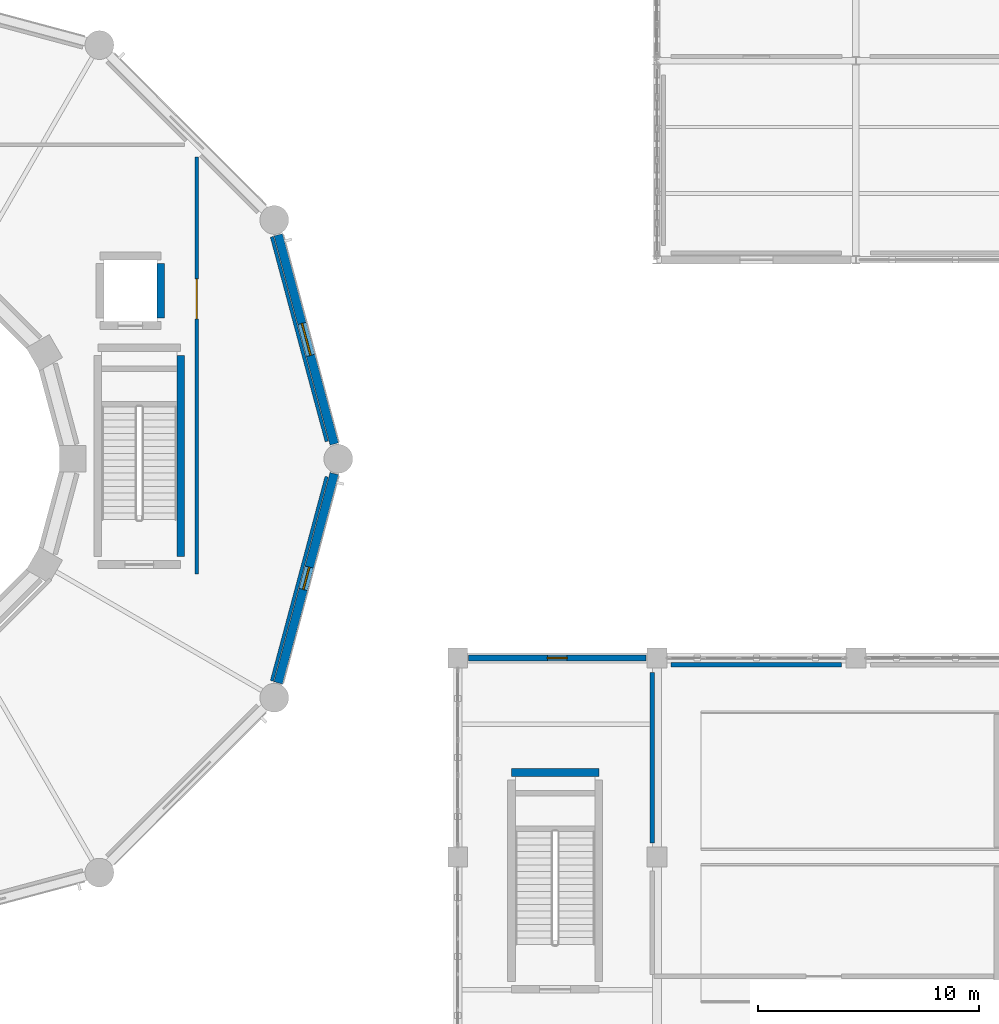
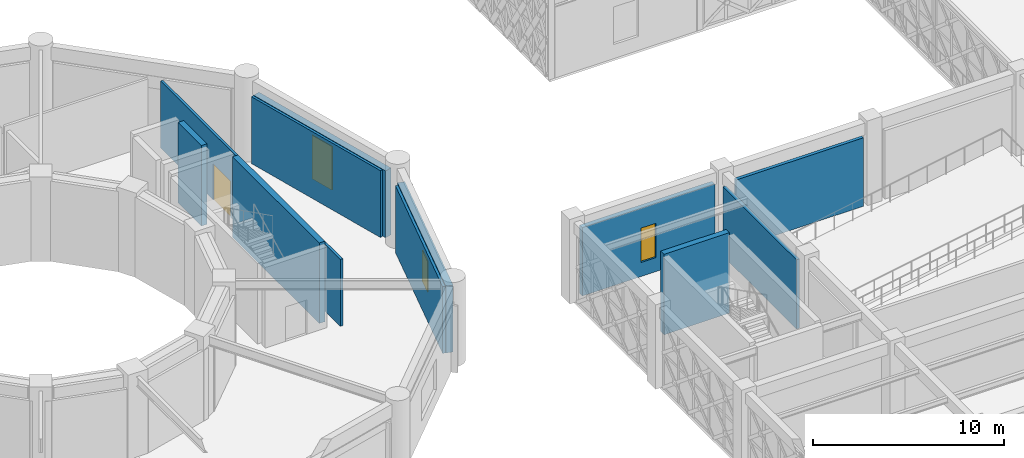
# One storey, part 142 of 166: 11 walls, 3 windows, 1 door, 4 openings.
"""IFC4 building model written with IfcOpenShell, lengths in metres."""

from ifc_helpers import new_model, si_unit, direction, frame, frame_2d, origin, place, context, subcontext, project, spatial, rectangle, extrude, material, layer, layer_set, type_object, element, fill, save


model = new_model("IFC4")

# Units and contexts
model_context = context("Model", 3, precision=1e-05, world=origin(), true_north=direction((0.0, 1.0)))
body_context = subcontext(model_context, "Body", "Model", "MODEL_VIEW")
ifc_project = project(units=[si_unit("LENGTHUNIT", "METRE"), si_unit("AREAUNIT", "SQUARE_METRE"), si_unit("VOLUMEUNIT", "CUBIC_METRE"), si_unit("PLANEANGLEUNIT", "RADIAN"), si_unit("MASSUNIT", "GRAM", prefix="KILO")], contexts=[model_context])

# Site, building, storey
site_placement = place(None, origin())
site = spatial("IfcSite", under=ifc_project, at=site_placement, CompositionType="ELEMENT")
building_placement = place(site_placement, origin())
building = spatial("IfcBuilding", under=site, at=building_placement, Name="Haizhuo Lancet Aquarium", CompositionType="ELEMENT")
storey_placement = place(building_placement, frame((0.0, 0.0, 5.39990234375)))
storey = spatial("IfcBuildingStorey", under=building, at=storey_placement, Name="L01", CompositionType="ELEMENT", Elevation=5.39990234375)

# Wall, opening, window
ifc_material_1 = material(Name="Shandong Grey Limestone Ashlar", Category="masonry")
ifc_layer_1 = layer(ifc_material_1, 0.280029296875)
ifc_layer_set_1 = layer_set([ifc_layer_1], Name="Shandong Grey Limestone Ashlar")
wall_type_1 = type_object("IfcWallType", Name="EWL-ASH-280", PredefinedType="SOLIDWALL", material=ifc_layer_set_1)
wall_1_placement = place(storey_placement, frame((27.4951171875, -9.0, 0.0), z_axis=(0.0, 0.0, 1.0), x_axis=(1.0, 0.0, 0.0)))
wall_1 = element("IfcWall", 1, at=wall_1_placement, inside=storey, type_object=wall_type_1, Name="L01 V3 limestone facade wall 70", PredefinedType="SOLIDWALL", context=body_context, shape_type="SweptSolid", body=[
    extrude(rectangle(XDim=8.009765625, YDim=0.280029296875, at=frame_2d((4.0048828125, 0.0))), origin(), (0.0, 0.0, 1.0), 4.375),
])
opening_1_placement = place(wall_1_placement, frame((3.554931640625, 0.0, 0.89990234375)))
opening_1 = element("IfcOpeningElement", 2, at=opening_1_placement, cuts=wall_1, Name="Opening WN-11", PredefinedType="OPENING", context=body_context, shape_type="SweptSolid", body=[
    extrude(rectangle(XDim=0.89990234375, YDim=2.199951171875, at=frame_2d((0.449951171875, 1.10009765625))), frame((0.0, 0.14990234375, 0.0), z_axis=(0.0, -1.0, 0.0), x_axis=(1.0, 0.0, 0.0)), (0.0, 0.0, 1.0), 0.300029),
])
ifc_material_2 = material(Name="Laminated Low-E Glass", Category="glass")
window_type_1 = type_object("IfcWindowType", Name="WIN-LAN-900x2200", PartitioningType="SINGLE_PANEL", PredefinedType="WINDOW", material=ifc_material_2)
window_1_placement = place(opening_1_placement, origin())
window_1 = element("IfcWindow", 3, at=window_1_placement, inside=storey, type_object=window_type_1, Name="L01 V3 lancet window 55", OverallHeight=2.199951171875, OverallWidth=0.89990234375, PartitioningType="SINGLE_PANEL", PredefinedType="WINDOW", context=body_context, shape_type="SweptSolid", body=[
    extrude(rectangle(XDim=0.89990234375, YDim=2.199951171875, at=frame_2d((0.449951171875, 1.10009765625))), frame((0.0, 0.030029296875, 0.0), z_axis=(0.0, -1.0, 0.0), x_axis=(1.0, 0.0, 0.0)), (0.0, 0.0, 1.0), 0.06005859375),
])
fill(opening_1, window_1)

ifc_layer_2 = layer(ifc_material_1, 0.39990234375)
ifc_layer_set_2 = layer_set([ifc_layer_2], Name="Shandong Grey Limestone Ashlar")
wall_type_2 = type_object("IfcWallType", Name="EWL-ASH-400", PredefinedType="SOLIDWALL", material=ifc_layer_set_2)
wall_2_placement = place(storey_placement, frame((18.885986328125, 10.12890625, 0.0), z_axis=(0.0, 0.0, 1.0), x_axis=(0.258787599316, -0.965934251614, 0.0)))
wall_2 = element("IfcWall", 4, at=wall_2_placement, inside=storey, type_object=wall_type_2, Name="L01 V1 limestone drum wall bay 1", PredefinedType="SOLIDWALL", context=body_context, shape_type="SweptSolid", body=[
    extrude(rectangle(XDim=9.79150390625, YDim=0.39990234375, at=frame_2d((4.895751953125, 0.0))), origin(), (0.0, 0.0, 1.0), 4.275146484375),
])
opening_2_placement = place(wall_2_placement, frame((4.14599609375, 0.0, 0.89990234375)))
opening_2 = element("IfcOpeningElement", 5, at=opening_2_placement, cuts=wall_2, Name="Opening WN-03", PredefinedType="OPENING", context=body_context, shape_type="SweptSolid", body=[
    extrude(rectangle(XDim=1.5, YDim=2.800048828125, at=frame_2d((0.75, 1.39990234375))), frame((0.0, 0.2099609375, 0.0), z_axis=(0.0, -1.0, 0.0), x_axis=(1.0, 0.0, 0.0)), (0.0, 0.0, 1.0), 0.419902),
])
window_type_2 = type_object("IfcWindowType", Name="WIN-LAN-1500x2800", PartitioningType="SINGLE_PANEL", PredefinedType="WINDOW", material=ifc_material_2)
window_2_placement = place(opening_2_placement, origin())
window_2 = element("IfcWindow", 6, at=window_2_placement, inside=storey, type_object=window_type_2, Name="L01 Gothic lancet window 9", OverallHeight=2.800048828125, OverallWidth=1.5, PartitioningType="SINGLE_PANEL", PredefinedType="WINDOW", context=body_context, shape_type="SweptSolid", body=[
    extrude(rectangle(XDim=1.5, YDim=2.800048828125, at=frame_2d((0.75, 1.39990234375))), frame((0.0, 0.030029296875, 0.0), z_axis=(0.0, -1.0, 0.0), x_axis=(1.0, 0.0, 0.0)), (0.0, 0.0, 1.0), 0.06005859375),
])
fill(opening_2, window_2)

wall_3_placement = place(storey_placement, frame((21.419921875, -0.6708984375, 0.0), z_axis=(0.0, 0.0, 1.0), x_axis=(-0.258787599316, -0.965934251614, 0.0)))
wall_3 = element("IfcWall", 7, at=wall_3_placement, inside=storey, type_object=wall_type_2, Name="L01 V1 limestone drum wall bay 12", PredefinedType="SOLIDWALL", context=body_context, shape_type="SweptSolid", body=[
    extrude(rectangle(XDim=9.79150390625, YDim=0.39990234375, at=frame_2d((4.895751953125, 0.0))), origin(), (0.0, 0.0, 1.0), 4.275146484375),
])
opening_3_placement = place(wall_3_placement, frame((4.37109375, 0.0, 0.89990234375)))
opening_3 = element("IfcOpeningElement", 8, at=opening_3_placement, cuts=wall_3, Name="Opening WN-12", PredefinedType="OPENING", context=body_context, shape_type="SweptSolid", body=[
    extrude(rectangle(XDim=1.050048828125, YDim=2.0, at=frame_2d((0.52490234375, 1.0))), frame((0.0, 0.2099609375, 0.0), z_axis=(0.0, -1.0, 0.0), x_axis=(1.0, 0.0, 0.0)), (0.0, 0.0, 1.0), 0.419902),
])
window_type_3 = type_object("IfcWindowType", Name="WIN-LAN-1050x2000", PartitioningType="SINGLE_PANEL", PredefinedType="WINDOW", material=ifc_material_2)
window_3_placement = place(opening_3_placement, origin())
window_3 = element("IfcWindow", 9, at=window_3_placement, inside=storey, type_object=window_type_3, Name="L01 Gothic lancet window 20", OverallHeight=2.0, OverallWidth=1.050048828125, PartitioningType="SINGLE_PANEL", PredefinedType="WINDOW", context=body_context, shape_type="SweptSolid", body=[
    extrude(rectangle(XDim=1.050048828125, YDim=2.0, at=frame_2d((0.52490234375, 1.0))), frame((0.0, 0.030029296875, 0.0), z_axis=(0.0, -1.0, 0.0), x_axis=(1.0, 0.0, 0.0)), (0.0, 0.0, 1.0), 0.06005859375),
])
fill(opening_3, window_3)

# Walls
ifc_material_3 = material(Name="Concrete C40/50", Category="concrete")
ifc_layer_3 = layer(ifc_material_3, 0.199951171875)
ifc_layer_set_3 = layer_set([ifc_layer_3], Name="Concrete C40/50")
wall_type_3 = type_object("IfcWallType", Name="IWL-ACU-200", PredefinedType="PARTITIONING", material=ifc_layer_set_3)
wall_4_placement = place(storey_placement, frame((44.35009765625, -9.300048828125, 0.0), z_axis=(0.0, 0.0, 1.0), x_axis=(-1.0, 0.0, 0.0)))
element("IfcWall", 10, at=wall_4_placement, inside=storey, type_object=wall_type_3, Name="L01 partition wall 253", PredefinedType="PARTITIONING", context=body_context, shape_type="SweptSolid", body=[
    extrude(rectangle(XDim=7.7001953125, YDim=0.199951171875, at=frame_2d((3.85009765625, 0.0))), origin(), (0.0, 0.0, 1.0), 4.375),
])
wall_5_placement = place(storey_placement, frame((35.800048828125, -9.64990234375, 0.0), z_axis=(0.0, 0.0, 1.0), x_axis=(0.0, -1.0, 0.0)))
element("IfcWall", 11, at=wall_5_placement, inside=storey, type_object=wall_type_3, Name="L01 partition wall 254", PredefinedType="PARTITIONING", context=body_context, shape_type="SweptSolid", body=[
    extrude(rectangle(XDim=7.710205078125, YDim=0.199951171875, at=frame_2d((3.85498046875, 0.0))), origin(), (0.0, 0.0, 1.0), 4.425048828125),
])
ifc_material_4 = material(Name="Gypsum Fireboard Partition")
ifc_layer_4 = layer(ifc_material_4, 0.14990234375)
ifc_layer_set_4 = layer_set([ifc_layer_4], Name="Gypsum Fireboard Partition")
wall_type_4 = type_object("IfcWallType", Name="IWL-STD-150", PredefinedType="PARTITIONING", material=ifc_layer_set_4)
wall_6_placement = place(storey_placement, frame((18.59912109375, -10.0400390625, 0.0), z_axis=(0.0, 0.0, 1.0), x_axis=(0.258779912716, 0.965936310931, 0.0)))
element("IfcWall", 12, at=wall_6_placement, inside=storey, type_object=wall_type_4, Name="L01 partition wall 217", PredefinedType="PARTITIONING", context=body_context, shape_type="SweptSolid", body=[
    extrude(rectangle(XDim=9.559814453125, YDim=0.14990234375, at=frame_2d((4.77978515625, 0.0))), origin(), (0.0, 0.0, 1.0), 4.275146484375),
])
wall_7_placement = place(storey_placement, frame((21.076904296875, 0.787109375, 0.0), z_axis=(0.0, 0.0, 1.0), x_axis=(-0.258883855342, 0.965908458107, 0.0)))
element("IfcWall", 13, at=wall_7_placement, inside=storey, type_object=wall_type_4, Name="L01 partition wall 218", PredefinedType="PARTITIONING", context=body_context, shape_type="SweptSolid", body=[
    extrude(rectangle(XDim=9.57958984375, YDim=0.14990234375, at=frame_2d((4.789794921875, 0.0))), origin(), (0.0, 0.0, 1.0), 4.275146484375),
])

# Wall, opening, door
wall_8_placement = place(storey_placement, frame((15.199951171875, 13.639892578125, 0.0), z_axis=(0.0, 0.0, 1.0), x_axis=(0.0, -1.0, 0.0)))
wall_8 = element("IfcWall", 14, at=wall_8_placement, inside=storey, type_object=wall_type_4, Name="L01 partition wall 220", PredefinedType="PARTITIONING", context=body_context, shape_type="SweptSolid", body=[
    extrude(rectangle(XDim=18.83984375, YDim=0.14990234375, at=frame_2d((9.419921875, 0.0))), origin(), (0.0, 0.0, 1.0), 4.275146484375),
])
opening_4_placement = place(wall_8_placement, frame((5.506103515625, 0.0, 0.0)))
opening_4 = element("IfcOpeningElement", 15, at=opening_4_placement, cuts=wall_8, Name="Opening D-02", PredefinedType="OPENING", context=body_context, shape_type="SweptSolid", body=[
    extrude(rectangle(XDim=1.800048828125, YDim=2.300048828125, at=frame_2d((0.89990234375, 1.14990234375))), frame((0.0, 0.0849609375, 0.0), z_axis=(0.0, -1.0, 0.0), x_axis=(1.0, 0.0, 0.0)), (0.0, 0.0, 1.0), 0.169902),
])
ifc_material_5 = material(Name="Aluminium 6063-T6", Category="aluminium")
door_type = type_object("IfcDoorType", Name="IDR-GAL-1800x2300", OperationType="NOTDEFINED", PredefinedType="DOOR", material=ifc_material_5)
door_placement = place(opening_4_placement, origin())
door = element("IfcDoor", 16, at=door_placement, inside=storey, type_object=door_type, Name="L01 Ocean Tank Reef Viewing Deck door", OperationType="DOUBLE_DOOR_SINGLE_SWING", OverallHeight=2.300048828125, OverallWidth=1.800048828125, PredefinedType="DOOR", context=body_context, shape_type="SweptSolid", body=[
    extrude(rectangle(XDim=1.800048828125, YDim=2.300048828125, at=frame_2d((0.89990234375, 1.14990234375))), frame((0.0, 0.02490234375, 0.0), z_axis=(0.0, -1.0, 0.0), x_axis=(1.0, 0.0, 0.0)), (0.0, 0.0, 1.0), 0.050048828125),
])
fill(opening_4, door)

# Walls
ifc_layer_5 = layer(ifc_material_3, 0.35009765625)
ifc_layer_set_5 = layer_set([ifc_layer_5], Name="Concrete C40/50")
wall_type_5 = type_object("IfcWallType", Name="WL-CORE-350", PredefinedType="SHEAR", material=ifc_layer_set_5)
wall_9_placement = place(storey_placement, frame((14.47509765625, -4.425048828125, 0.0), z_axis=(0.0, 0.0, 1.0), x_axis=(0.0, 1.0, 0.0)))
element("IfcWall", 17, at=wall_9_placement, inside=storey, type_object=wall_type_5, Name="L01 ST-02 core shear wall E", PredefinedType="SHEAR", context=body_context, shape_type="SweptSolid", body=[
    extrude(rectangle(XDim=9.10009765625, YDim=0.35009765625, at=frame_2d((4.550048828125, 0.0))), origin(), (0.0, 0.0, 1.0), 5.150146484375),
])
wall_10_placement = place(storey_placement, frame((29.425048828125, -14.175048828125, 0.0), z_axis=(0.0, 0.0, 1.0), x_axis=(1.0, 0.0, 0.0)))
element("IfcWall", 18, at=wall_10_placement, inside=storey, type_object=wall_type_5, Name="L01 ST-04 core shear wall N", PredefinedType="SHEAR", context=body_context, shape_type="SweptSolid", body=[
    extrude(rectangle(XDim=3.949951171875, YDim=0.35009765625, at=frame_2d((1.97509765625, 0.0))), origin(), (0.0, 0.0, 1.0), 5.150146484375),
])
wall_11_placement = place(storey_placement, frame((13.574951171875, 6.375, 0.0), z_axis=(0.0, 0.0, 1.0), x_axis=(0.0, 1.0, 0.0)))
element("IfcWall", 19, at=wall_11_placement, inside=storey, type_object=wall_type_5, Name="L01 LP-01 lift shaft wall +X", PredefinedType="SHEAR", context=body_context, shape_type="SweptSolid", body=[
    extrude(rectangle(XDim=2.449951171875, YDim=0.35009765625, at=frame_2d((1.22509765625, 0.0))), origin(), (0.0, 0.0, 1.0), 5.150146484375),
])

save(model, "model.ifc")
